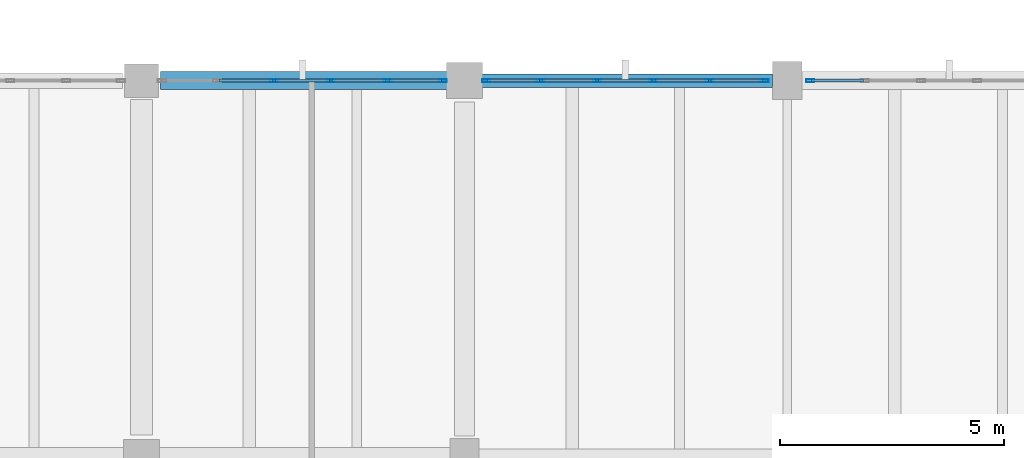
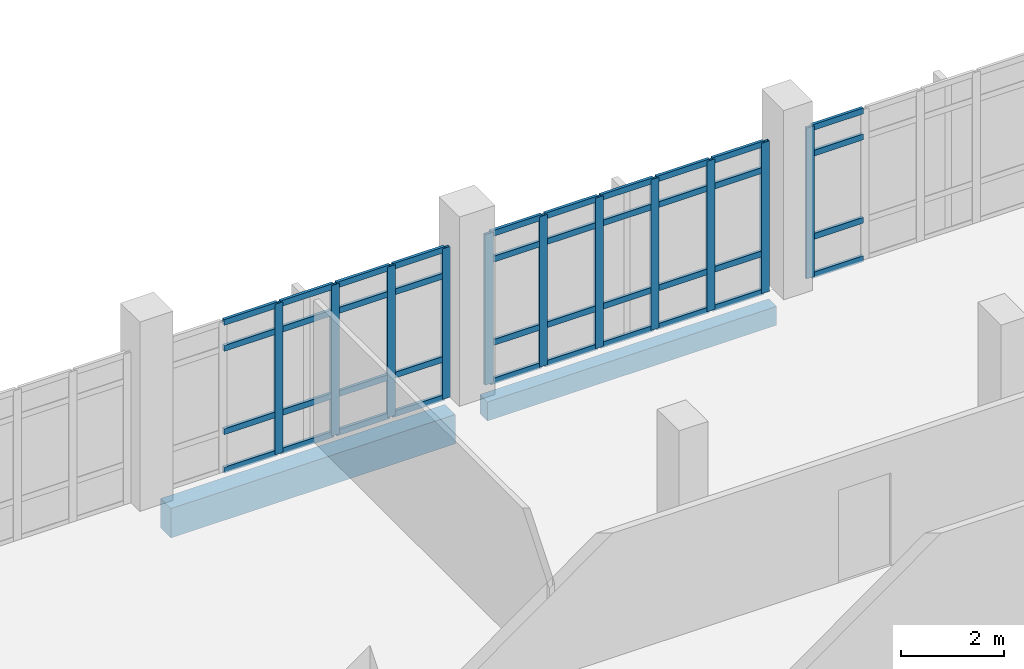
# One storey, part 74 of 134: 51 members, 2 beams, 3 elements without a shape of their own.
"""IFC4 building model written with IfcOpenShell, lengths in metres."""

from ifc_helpers import new_model, si_unit, direction, frame, origin, origin_2d, place, context, subcontext, project, spatial, rectangle, hollow_rectangle, extrude, material, material_profile, profile_set, type_object, element, aggregate, save


model = new_model("IFC4")

# Units and contexts
model_context = context("Model", 3, precision=1e-05, world=origin(), true_north=direction((0.0, 1.0)))
body_context = subcontext(model_context, "Body", "Model", "MODEL_VIEW")
ifc_project = project(units=[si_unit("LENGTHUNIT", "METRE"), si_unit("AREAUNIT", "SQUARE_METRE"), si_unit("VOLUMEUNIT", "CUBIC_METRE"), si_unit("PLANEANGLEUNIT", "RADIAN"), si_unit("MASSUNIT", "GRAM", prefix="KILO")], contexts=[model_context])

# Site, building, storey
site_placement = place(None, origin())
site = spatial("IfcSite", under=ifc_project, at=site_placement, CompositionType="ELEMENT")
building_placement = place(site_placement, origin())
building = spatial("IfcBuilding", under=site, at=building_placement, Name="Kalluvel Institute of Natural Sciences", CompositionType="ELEMENT")
storey_placement = place(building_placement, frame((0.0, 0.0, 5.39990234375)))
storey = spatial("IfcBuildingStorey", under=building, at=storey_placement, Name="L01", CompositionType="ELEMENT", Elevation=5.39990234375)

# Curtain wall, members
ifc_material_1 = material(Name="Aluminium AW-6063 T6", Category="aluminium")
curtain_wall_type = type_object("IfcCurtainWallType", Name="CW-WET-45", PredefinedType="USERDEFINED", material=ifc_material_1)
curtain_wall_1_placement = place(storey_placement, origin())
curtain_wall_1 = element("IfcCurtainWall", 1, at=curtain_wall_1_placement, inside=storey, type_object=curtain_wall_type, Name="L01 Gothic lancet curtain wall CWA-L01-X936-Y1280", ObjectType="UNITISED LANCET FACADE", PredefinedType="USERDEFINED")
ifc_material_profile_1 = material_profile(ifc_material_1, hollow_rectangle(XDim=0.06494140625, YDim=0.179931640625, WallThickness=0.00439453125, at=origin_2d()), Name="CWM 65x180")
ifc_profile_set_1 = profile_set([ifc_material_profile_1], Name="Aluminium AW-6063 T6")
member_type_1 = type_object("IfcMemberType", Name="CWM-65x180", PredefinedType="MULLION", material=ifc_profile_set_1)
member_1_placement = place(storey_placement, frame((96.155029296875, 128.0, 0.0), z_axis=(0.0, 0.0, 1.0), x_axis=(0.0, 1.0, 0.0)))
member_1 = element("IfcMember", 2, at=member_1_placement, type_object=member_type_1, Name="CW-01 mullion 3", PredefinedType="MULLION", context=body_context, shape_type="SweptSolid", body=[
    extrude(hollow_rectangle(XDim=0.06494140625, YDim=0.179931640625, WallThickness=0.00439453125, at=origin_2d()), origin(), (0.0, 0.0, 1.0), 3.580078125),
])
member_2_placement = place(storey_placement, frame((97.419921875, 128.0, 0.0), z_axis=(0.0, 0.0, 1.0), x_axis=(0.0, 1.0, 0.0)))
member_2 = element("IfcMember", 3, at=member_2_placement, type_object=member_type_1, Name="CW-01 mullion 4", PredefinedType="MULLION", context=body_context, shape_type="SweptSolid", body=[
    extrude(hollow_rectangle(XDim=0.06494140625, YDim=0.179931640625, WallThickness=0.00439453125, at=origin_2d()), origin(), (0.0, 0.0, 1.0), 3.580078125),
])
member_3_placement = place(storey_placement, frame((98.68505859375, 128.0, 0.0), z_axis=(0.0, 0.0, 1.0), x_axis=(0.0, 1.0, 0.0)))
member_3 = element("IfcMember", 4, at=member_3_placement, type_object=member_type_1, Name="CW-01 mullion 5", PredefinedType="MULLION", context=body_context, shape_type="SweptSolid", body=[
    extrude(hollow_rectangle(XDim=0.06494140625, YDim=0.179931640625, WallThickness=0.00439453125, at=origin_2d()), origin(), (0.0, 0.0, 1.0), 3.580078125),
])
member_4_placement = place(storey_placement, frame((99.91748046875, 128.0, 0.0), z_axis=(0.0, 0.0, 1.0), x_axis=(0.0, 1.0, 0.0)))
member_4 = element("IfcMember", 5, at=member_4_placement, type_object=member_type_1, Name="CW-01 mullion 6", PredefinedType="MULLION", context=body_context, shape_type="SweptSolid", body=[
    extrude(hollow_rectangle(XDim=0.06494140625, YDim=0.179931640625, WallThickness=0.00439453125, at=origin_2d()), origin(), (0.0, 0.0, 1.0), 3.580078125),
])

curtain_wall_2_placement = place(storey_placement, origin())
curtain_wall_2 = element("IfcCurtainWall", 6, at=curtain_wall_2_placement, inside=storey, type_object=curtain_wall_type, Name="L01 Gothic lancet curtain wall CWA-L01-X1008-Y1280", ObjectType="UNITISED LANCET FACADE", PredefinedType="USERDEFINED")
member_5_placement = place(storey_placement, frame((100.882568359375, 128.0, 0.0), z_axis=(0.0, 0.0, 1.0), x_axis=(0.0, 1.0, 0.0)))
member_5 = element("IfcMember", 7, at=member_5_placement, type_object=member_type_1, Name="CW-01 mullion 1", PredefinedType="MULLION", context=body_context, shape_type="SweptSolid", body=[
    extrude(hollow_rectangle(XDim=0.06494140625, YDim=0.179931640625, WallThickness=0.00439453125, at=origin_2d()), origin(), (0.0, 0.0, 1.0), 3.580078125),
])
member_6_placement = place(storey_placement, frame((102.10498046875, 128.0, 0.0), z_axis=(0.0, 0.0, 1.0), x_axis=(0.0, 1.0, 0.0)))
member_6 = element("IfcMember", 8, at=member_6_placement, type_object=member_type_1, Name="CW-01 mullion 2", PredefinedType="MULLION", context=body_context, shape_type="SweptSolid", body=[
    extrude(hollow_rectangle(XDim=0.06494140625, YDim=0.179931640625, WallThickness=0.00439453125, at=origin_2d()), origin(), (0.0, 0.0, 1.0), 3.580078125),
])
member_7_placement = place(storey_placement, frame((103.360107421875, 128.0, 0.0), z_axis=(0.0, 0.0, 1.0), x_axis=(0.0, 1.0, 0.0)))
member_7 = element("IfcMember", 9, at=member_7_placement, type_object=member_type_1, Name="CW-01 mullion 3", PredefinedType="MULLION", context=body_context, shape_type="SweptSolid", body=[
    extrude(hollow_rectangle(XDim=0.06494140625, YDim=0.179931640625, WallThickness=0.00439453125, at=origin_2d()), origin(), (0.0, 0.0, 1.0), 3.580078125),
])
member_8_placement = place(storey_placement, frame((104.614990234375, 128.0, 0.0), z_axis=(0.0, 0.0, 1.0), x_axis=(0.0, 1.0, 0.0)))
member_8 = element("IfcMember", 10, at=member_8_placement, type_object=member_type_1, Name="CW-01 mullion 4", PredefinedType="MULLION", context=body_context, shape_type="SweptSolid", body=[
    extrude(hollow_rectangle(XDim=0.06494140625, YDim=0.179931640625, WallThickness=0.00439453125, at=origin_2d()), origin(), (0.0, 0.0, 1.0), 3.580078125),
])
member_9_placement = place(storey_placement, frame((105.8701171875, 128.0, 0.0), z_axis=(0.0, 0.0, 1.0), x_axis=(0.0, 1.0, 0.0)))
member_9 = element("IfcMember", 11, at=member_9_placement, type_object=member_type_1, Name="CW-01 mullion 5", PredefinedType="MULLION", context=body_context, shape_type="SweptSolid", body=[
    extrude(hollow_rectangle(XDim=0.06494140625, YDim=0.179931640625, WallThickness=0.00439453125, at=origin_2d()), origin(), (0.0, 0.0, 1.0), 3.580078125),
])
member_10_placement = place(storey_placement, frame((107.092529296875, 128.0, 0.0), z_axis=(0.0, 0.0, 1.0), x_axis=(0.0, 1.0, 0.0)))
member_10 = element("IfcMember", 12, at=member_10_placement, type_object=member_type_1, Name="CW-01 mullion 6", PredefinedType="MULLION", context=body_context, shape_type="SweptSolid", body=[
    extrude(hollow_rectangle(XDim=0.06494140625, YDim=0.179931640625, WallThickness=0.00439453125, at=origin_2d()), origin(), (0.0, 0.0, 1.0), 3.580078125),
])

# Curtain wall, member
curtain_wall_3_placement = place(storey_placement, origin())
curtain_wall_3 = element("IfcCurtainWall", 13, at=curtain_wall_3_placement, inside=storey, type_object=curtain_wall_type, Name="L01 Gothic lancet curtain wall CWA-L01-X1081-Y1280", ObjectType="UNITISED LANCET FACADE", PredefinedType="USERDEFINED")
member_11_placement = place(storey_placement, frame((108.107421875, 128.0, 0.0), z_axis=(0.0, 0.0, 1.0), x_axis=(0.0, 1.0, 0.0)))
member_11 = element("IfcMember", 14, at=member_11_placement, type_object=member_type_1, Name="CW-01 mullion 1", PredefinedType="MULLION", context=body_context, shape_type="SweptSolid", body=[
    extrude(hollow_rectangle(XDim=0.06494140625, YDim=0.179931640625, WallThickness=0.00439453125, at=origin_2d()), origin(), (0.0, 0.0, 1.0), 3.580078125),
])

# Member
ifc_material_profile_2 = material_profile(ifc_material_1, hollow_rectangle(XDim=0.06494140625, YDim=0.139892578125, WallThickness=0.00439453125, at=origin_2d()), Name="CWT 65x140")
ifc_profile_set_2 = profile_set([ifc_material_profile_2], Name="Aluminium AW-6063 T6")
member_type_2 = type_object("IfcMemberType", Name="CWT-65x140", PredefinedType="USERDEFINED", material=ifc_profile_set_2)
member_12_placement = place(storey_placement, frame((94.922607421875, 128.0, 0.03271484375), z_axis=(1.0, 0.0, 0.0), x_axis=(0.0, 1.0, 0.0)))
member_12 = element("IfcMember", 15, at=member_12_placement, type_object=member_type_2, Name="CW-01 transom 2.1", ObjectType="TRANSOM", PredefinedType="USERDEFINED", context=body_context, shape_type="SweptSolid", body=[
    extrude(hollow_rectangle(XDim=0.06494140625, YDim=0.139892578125, WallThickness=0.00439453125, at=origin_2d()), origin(), (0.0, 0.0, 1.0), 1.199951171875),
])

member_13_placement = place(storey_placement, frame((94.922607421875, 128.0, 0.9501953125), z_axis=(1.0, 0.0, 0.0), x_axis=(0.0, 1.0, 0.0)))
member_13 = element("IfcMember", 16, at=member_13_placement, type_object=member_type_2, Name="CW-01 transom 2.2", ObjectType="TRANSOM", PredefinedType="USERDEFINED", context=body_context, shape_type="SweptSolid", body=[
    extrude(hollow_rectangle(XDim=0.06494140625, YDim=0.139892578125, WallThickness=0.00439453125, at=origin_2d()), origin(), (0.0, 0.0, 1.0), 1.199951171875),
])

member_14_placement = place(storey_placement, frame((94.922607421875, 128.0, 2.93017578125), z_axis=(1.0, 0.0, 0.0), x_axis=(0.0, 1.0, 0.0)))
member_14 = element("IfcMember", 17, at=member_14_placement, type_object=member_type_2, Name="CW-01 transom 2.3", ObjectType="TRANSOM", PredefinedType="USERDEFINED", context=body_context, shape_type="SweptSolid", body=[
    extrude(hollow_rectangle(XDim=0.06494140625, YDim=0.139892578125, WallThickness=0.00439453125, at=origin_2d()), origin(), (0.0, 0.0, 1.0), 1.199951171875),
])

member_15_placement = place(storey_placement, frame((94.922607421875, 128.0, 3.547607421875), z_axis=(1.0, 0.0, 0.0), x_axis=(0.0, 1.0, 0.0)))
member_15 = element("IfcMember", 18, at=member_15_placement, type_object=member_type_2, Name="CW-01 transom 2.4", ObjectType="TRANSOM", PredefinedType="USERDEFINED", context=body_context, shape_type="SweptSolid", body=[
    extrude(hollow_rectangle(XDim=0.06494140625, YDim=0.139892578125, WallThickness=0.00439453125, at=origin_2d()), origin(), (0.0, 0.0, 1.0), 1.199951171875),
])

member_16_placement = place(storey_placement, frame((96.1875, 128.0, 0.03271484375), z_axis=(1.0, 0.0, 0.0), x_axis=(0.0, 1.0, 0.0)))
member_16 = element("IfcMember", 19, at=member_16_placement, type_object=member_type_2, Name="CW-01 transom 3.1", ObjectType="TRANSOM", PredefinedType="USERDEFINED", context=body_context, shape_type="SweptSolid", body=[
    extrude(hollow_rectangle(XDim=0.06494140625, YDim=0.139892578125, WallThickness=0.00439453125, at=origin_2d()), origin(), (0.0, 0.0, 1.0), 1.199951171875),
])

member_17_placement = place(storey_placement, frame((96.1875, 128.0, 0.9501953125), z_axis=(1.0, 0.0, 0.0), x_axis=(0.0, 1.0, 0.0)))
member_17 = element("IfcMember", 20, at=member_17_placement, type_object=member_type_2, Name="CW-01 transom 3.2", ObjectType="TRANSOM", PredefinedType="USERDEFINED", context=body_context, shape_type="SweptSolid", body=[
    extrude(hollow_rectangle(XDim=0.06494140625, YDim=0.139892578125, WallThickness=0.00439453125, at=origin_2d()), origin(), (0.0, 0.0, 1.0), 1.199951171875),
])

member_18_placement = place(storey_placement, frame((96.1875, 128.0, 2.93017578125), z_axis=(1.0, 0.0, 0.0), x_axis=(0.0, 1.0, 0.0)))
member_18 = element("IfcMember", 21, at=member_18_placement, type_object=member_type_2, Name="CW-01 transom 3.3", ObjectType="TRANSOM", PredefinedType="USERDEFINED", context=body_context, shape_type="SweptSolid", body=[
    extrude(hollow_rectangle(XDim=0.06494140625, YDim=0.139892578125, WallThickness=0.00439453125, at=origin_2d()), origin(), (0.0, 0.0, 1.0), 1.199951171875),
])

member_19_placement = place(storey_placement, frame((96.1875, 128.0, 3.547607421875), z_axis=(1.0, 0.0, 0.0), x_axis=(0.0, 1.0, 0.0)))
member_19 = element("IfcMember", 22, at=member_19_placement, type_object=member_type_2, Name="CW-01 transom 3.4", ObjectType="TRANSOM", PredefinedType="USERDEFINED", context=body_context, shape_type="SweptSolid", body=[
    extrude(hollow_rectangle(XDim=0.06494140625, YDim=0.139892578125, WallThickness=0.00439453125, at=origin_2d()), origin(), (0.0, 0.0, 1.0), 1.199951171875),
])

member_20_placement = place(storey_placement, frame((97.452392578125, 128.0, 0.03271484375), z_axis=(1.0, 0.0, 0.0), x_axis=(0.0, 1.0, 0.0)))
member_20 = element("IfcMember", 23, at=member_20_placement, type_object=member_type_2, Name="CW-01 transom 4.1", ObjectType="TRANSOM", PredefinedType="USERDEFINED", context=body_context, shape_type="SweptSolid", body=[
    extrude(hollow_rectangle(XDim=0.06494140625, YDim=0.139892578125, WallThickness=0.00439453125, at=origin_2d()), origin(), (0.0, 0.0, 1.0), 1.2001953125),
])

member_21_placement = place(storey_placement, frame((97.452392578125, 128.0, 0.9501953125), z_axis=(1.0, 0.0, 0.0), x_axis=(0.0, 1.0, 0.0)))
member_21 = element("IfcMember", 24, at=member_21_placement, type_object=member_type_2, Name="CW-01 transom 4.2", ObjectType="TRANSOM", PredefinedType="USERDEFINED", context=body_context, shape_type="SweptSolid", body=[
    extrude(hollow_rectangle(XDim=0.06494140625, YDim=0.139892578125, WallThickness=0.00439453125, at=origin_2d()), origin(), (0.0, 0.0, 1.0), 1.2001953125),
])

member_22_placement = place(storey_placement, frame((97.452392578125, 128.0, 2.93017578125), z_axis=(1.0, 0.0, 0.0), x_axis=(0.0, 1.0, 0.0)))
member_22 = element("IfcMember", 25, at=member_22_placement, type_object=member_type_2, Name="CW-01 transom 4.3", ObjectType="TRANSOM", PredefinedType="USERDEFINED", context=body_context, shape_type="SweptSolid", body=[
    extrude(hollow_rectangle(XDim=0.06494140625, YDim=0.139892578125, WallThickness=0.00439453125, at=origin_2d()), origin(), (0.0, 0.0, 1.0), 1.2001953125),
])

member_23_placement = place(storey_placement, frame((97.452392578125, 128.0, 3.547607421875), z_axis=(1.0, 0.0, 0.0), x_axis=(0.0, 1.0, 0.0)))
member_23 = element("IfcMember", 26, at=member_23_placement, type_object=member_type_2, Name="CW-01 transom 4.4", ObjectType="TRANSOM", PredefinedType="USERDEFINED", context=body_context, shape_type="SweptSolid", body=[
    extrude(hollow_rectangle(XDim=0.06494140625, YDim=0.139892578125, WallThickness=0.00439453125, at=origin_2d()), origin(), (0.0, 0.0, 1.0), 1.2001953125),
])

member_24_placement = place(storey_placement, frame((98.717529296875, 128.0, 0.03271484375), z_axis=(1.0, 0.0, 0.0), x_axis=(0.0, 1.0, 0.0)))
member_24 = element("IfcMember", 27, at=member_24_placement, type_object=member_type_2, Name="CW-01 transom 5.1", ObjectType="TRANSOM", PredefinedType="USERDEFINED", context=body_context, shape_type="SweptSolid", body=[
    extrude(hollow_rectangle(XDim=0.06494140625, YDim=0.139892578125, WallThickness=0.00439453125, at=origin_2d()), origin(), (0.0, 0.0, 1.0), 1.16748046875),
])

member_25_placement = place(storey_placement, frame((98.717529296875, 128.0, 0.9501953125), z_axis=(1.0, 0.0, 0.0), x_axis=(0.0, 1.0, 0.0)))
member_25 = element("IfcMember", 28, at=member_25_placement, type_object=member_type_2, Name="CW-01 transom 5.2", ObjectType="TRANSOM", PredefinedType="USERDEFINED", context=body_context, shape_type="SweptSolid", body=[
    extrude(hollow_rectangle(XDim=0.06494140625, YDim=0.139892578125, WallThickness=0.00439453125, at=origin_2d()), origin(), (0.0, 0.0, 1.0), 1.16748046875),
])

member_26_placement = place(storey_placement, frame((98.717529296875, 128.0, 2.93017578125), z_axis=(1.0, 0.0, 0.0), x_axis=(0.0, 1.0, 0.0)))
member_26 = element("IfcMember", 29, at=member_26_placement, type_object=member_type_2, Name="CW-01 transom 5.3", ObjectType="TRANSOM", PredefinedType="USERDEFINED", context=body_context, shape_type="SweptSolid", body=[
    extrude(hollow_rectangle(XDim=0.06494140625, YDim=0.139892578125, WallThickness=0.00439453125, at=origin_2d()), origin(), (0.0, 0.0, 1.0), 1.16748046875),
])

member_27_placement = place(storey_placement, frame((98.717529296875, 128.0, 3.547607421875), z_axis=(1.0, 0.0, 0.0), x_axis=(0.0, 1.0, 0.0)))
member_27 = element("IfcMember", 30, at=member_27_placement, type_object=member_type_2, Name="CW-01 transom 5.4", ObjectType="TRANSOM", PredefinedType="USERDEFINED", context=body_context, shape_type="SweptSolid", body=[
    extrude(hollow_rectangle(XDim=0.06494140625, YDim=0.139892578125, WallThickness=0.00439453125, at=origin_2d()), origin(), (0.0, 0.0, 1.0), 1.16748046875),
])

aggregate(curtain_wall_1, [member_1, member_2, member_3, member_4, member_12, member_13, member_14, member_15, member_16, member_17, member_18, member_19, member_20, member_21, member_22, member_23, member_24, member_25, member_26, member_27])

member_28_placement = place(storey_placement, frame((100.9150390625, 128.0, 0.03271484375), z_axis=(1.0, 0.0, 0.0), x_axis=(0.0, 1.0, 0.0)))
member_28 = element("IfcMember", 31, at=member_28_placement, type_object=member_type_2, Name="CW-01 transom 1.1", ObjectType="TRANSOM", PredefinedType="USERDEFINED", context=body_context, shape_type="SweptSolid", body=[
    extrude(hollow_rectangle(XDim=0.06494140625, YDim=0.139892578125, WallThickness=0.00439453125, at=origin_2d()), origin(), (0.0, 0.0, 1.0), 1.157470703125),
])

member_29_placement = place(storey_placement, frame((100.9150390625, 128.0, 0.9501953125), z_axis=(1.0, 0.0, 0.0), x_axis=(0.0, 1.0, 0.0)))
member_29 = element("IfcMember", 32, at=member_29_placement, type_object=member_type_2, Name="CW-01 transom 1.2", ObjectType="TRANSOM", PredefinedType="USERDEFINED", context=body_context, shape_type="SweptSolid", body=[
    extrude(hollow_rectangle(XDim=0.06494140625, YDim=0.139892578125, WallThickness=0.00439453125, at=origin_2d()), origin(), (0.0, 0.0, 1.0), 1.157470703125),
])

member_30_placement = place(storey_placement, frame((100.9150390625, 128.0, 2.93017578125), z_axis=(1.0, 0.0, 0.0), x_axis=(0.0, 1.0, 0.0)))
member_30 = element("IfcMember", 33, at=member_30_placement, type_object=member_type_2, Name="CW-01 transom 1.3", ObjectType="TRANSOM", PredefinedType="USERDEFINED", context=body_context, shape_type="SweptSolid", body=[
    extrude(hollow_rectangle(XDim=0.06494140625, YDim=0.139892578125, WallThickness=0.00439453125, at=origin_2d()), origin(), (0.0, 0.0, 1.0), 1.157470703125),
])

member_31_placement = place(storey_placement, frame((100.9150390625, 128.0, 3.547607421875), z_axis=(1.0, 0.0, 0.0), x_axis=(0.0, 1.0, 0.0)))
member_31 = element("IfcMember", 34, at=member_31_placement, type_object=member_type_2, Name="CW-01 transom 1.4", ObjectType="TRANSOM", PredefinedType="USERDEFINED", context=body_context, shape_type="SweptSolid", body=[
    extrude(hollow_rectangle(XDim=0.06494140625, YDim=0.139892578125, WallThickness=0.00439453125, at=origin_2d()), origin(), (0.0, 0.0, 1.0), 1.157470703125),
])

member_32_placement = place(storey_placement, frame((102.137451171875, 128.0, 0.03271484375), z_axis=(1.0, 0.0, 0.0), x_axis=(0.0, 1.0, 0.0)))
member_32 = element("IfcMember", 35, at=member_32_placement, type_object=member_type_2, Name="CW-01 transom 2.1", ObjectType="TRANSOM", PredefinedType="USERDEFINED", context=body_context, shape_type="SweptSolid", body=[
    extrude(hollow_rectangle(XDim=0.06494140625, YDim=0.139892578125, WallThickness=0.00439453125, at=origin_2d()), origin(), (0.0, 0.0, 1.0), 1.18994140625),
])

member_33_placement = place(storey_placement, frame((102.137451171875, 128.0, 0.9501953125), z_axis=(1.0, 0.0, 0.0), x_axis=(0.0, 1.0, 0.0)))
member_33 = element("IfcMember", 36, at=member_33_placement, type_object=member_type_2, Name="CW-01 transom 2.2", ObjectType="TRANSOM", PredefinedType="USERDEFINED", context=body_context, shape_type="SweptSolid", body=[
    extrude(hollow_rectangle(XDim=0.06494140625, YDim=0.139892578125, WallThickness=0.00439453125, at=origin_2d()), origin(), (0.0, 0.0, 1.0), 1.18994140625),
])

member_34_placement = place(storey_placement, frame((102.137451171875, 128.0, 2.93017578125), z_axis=(1.0, 0.0, 0.0), x_axis=(0.0, 1.0, 0.0)))
member_34 = element("IfcMember", 37, at=member_34_placement, type_object=member_type_2, Name="CW-01 transom 2.3", ObjectType="TRANSOM", PredefinedType="USERDEFINED", context=body_context, shape_type="SweptSolid", body=[
    extrude(hollow_rectangle(XDim=0.06494140625, YDim=0.139892578125, WallThickness=0.00439453125, at=origin_2d()), origin(), (0.0, 0.0, 1.0), 1.18994140625),
])

member_35_placement = place(storey_placement, frame((102.137451171875, 128.0, 3.547607421875), z_axis=(1.0, 0.0, 0.0), x_axis=(0.0, 1.0, 0.0)))
member_35 = element("IfcMember", 38, at=member_35_placement, type_object=member_type_2, Name="CW-01 transom 2.4", ObjectType="TRANSOM", PredefinedType="USERDEFINED", context=body_context, shape_type="SweptSolid", body=[
    extrude(hollow_rectangle(XDim=0.06494140625, YDim=0.139892578125, WallThickness=0.00439453125, at=origin_2d()), origin(), (0.0, 0.0, 1.0), 1.18994140625),
])

member_36_placement = place(storey_placement, frame((103.392578125, 128.0, 0.03271484375), z_axis=(1.0, 0.0, 0.0), x_axis=(0.0, 1.0, 0.0)))
member_36 = element("IfcMember", 39, at=member_36_placement, type_object=member_type_2, Name="CW-01 transom 3.1", ObjectType="TRANSOM", PredefinedType="USERDEFINED", context=body_context, shape_type="SweptSolid", body=[
    extrude(hollow_rectangle(XDim=0.06494140625, YDim=0.139892578125, WallThickness=0.00439453125, at=origin_2d()), origin(), (0.0, 0.0, 1.0), 1.18994140625),
])

member_37_placement = place(storey_placement, frame((103.392578125, 128.0, 0.9501953125), z_axis=(1.0, 0.0, 0.0), x_axis=(0.0, 1.0, 0.0)))
member_37 = element("IfcMember", 40, at=member_37_placement, type_object=member_type_2, Name="CW-01 transom 3.2", ObjectType="TRANSOM", PredefinedType="USERDEFINED", context=body_context, shape_type="SweptSolid", body=[
    extrude(hollow_rectangle(XDim=0.06494140625, YDim=0.139892578125, WallThickness=0.00439453125, at=origin_2d()), origin(), (0.0, 0.0, 1.0), 1.18994140625),
])

member_38_placement = place(storey_placement, frame((103.392578125, 128.0, 2.93017578125), z_axis=(1.0, 0.0, 0.0), x_axis=(0.0, 1.0, 0.0)))
member_38 = element("IfcMember", 41, at=member_38_placement, type_object=member_type_2, Name="CW-01 transom 3.3", ObjectType="TRANSOM", PredefinedType="USERDEFINED", context=body_context, shape_type="SweptSolid", body=[
    extrude(hollow_rectangle(XDim=0.06494140625, YDim=0.139892578125, WallThickness=0.00439453125, at=origin_2d()), origin(), (0.0, 0.0, 1.0), 1.18994140625),
])

member_39_placement = place(storey_placement, frame((103.392578125, 128.0, 3.547607421875), z_axis=(1.0, 0.0, 0.0), x_axis=(0.0, 1.0, 0.0)))
member_39 = element("IfcMember", 42, at=member_39_placement, type_object=member_type_2, Name="CW-01 transom 3.4", ObjectType="TRANSOM", PredefinedType="USERDEFINED", context=body_context, shape_type="SweptSolid", body=[
    extrude(hollow_rectangle(XDim=0.06494140625, YDim=0.139892578125, WallThickness=0.00439453125, at=origin_2d()), origin(), (0.0, 0.0, 1.0), 1.18994140625),
])

member_40_placement = place(storey_placement, frame((104.6474609375, 128.0, 0.03271484375), z_axis=(1.0, 0.0, 0.0), x_axis=(0.0, 1.0, 0.0)))
member_40 = element("IfcMember", 43, at=member_40_placement, type_object=member_type_2, Name="CW-01 transom 4.1", ObjectType="TRANSOM", PredefinedType="USERDEFINED", context=body_context, shape_type="SweptSolid", body=[
    extrude(hollow_rectangle(XDim=0.06494140625, YDim=0.139892578125, WallThickness=0.00439453125, at=origin_2d()), origin(), (0.0, 0.0, 1.0), 1.18994140625),
])

member_41_placement = place(storey_placement, frame((104.6474609375, 128.0, 0.9501953125), z_axis=(1.0, 0.0, 0.0), x_axis=(0.0, 1.0, 0.0)))
member_41 = element("IfcMember", 44, at=member_41_placement, type_object=member_type_2, Name="CW-01 transom 4.2", ObjectType="TRANSOM", PredefinedType="USERDEFINED", context=body_context, shape_type="SweptSolid", body=[
    extrude(hollow_rectangle(XDim=0.06494140625, YDim=0.139892578125, WallThickness=0.00439453125, at=origin_2d()), origin(), (0.0, 0.0, 1.0), 1.18994140625),
])

member_42_placement = place(storey_placement, frame((104.6474609375, 128.0, 2.93017578125), z_axis=(1.0, 0.0, 0.0), x_axis=(0.0, 1.0, 0.0)))
member_42 = element("IfcMember", 45, at=member_42_placement, type_object=member_type_2, Name="CW-01 transom 4.3", ObjectType="TRANSOM", PredefinedType="USERDEFINED", context=body_context, shape_type="SweptSolid", body=[
    extrude(hollow_rectangle(XDim=0.06494140625, YDim=0.139892578125, WallThickness=0.00439453125, at=origin_2d()), origin(), (0.0, 0.0, 1.0), 1.18994140625),
])

member_43_placement = place(storey_placement, frame((104.6474609375, 128.0, 3.547607421875), z_axis=(1.0, 0.0, 0.0), x_axis=(0.0, 1.0, 0.0)))
member_43 = element("IfcMember", 46, at=member_43_placement, type_object=member_type_2, Name="CW-01 transom 4.4", ObjectType="TRANSOM", PredefinedType="USERDEFINED", context=body_context, shape_type="SweptSolid", body=[
    extrude(hollow_rectangle(XDim=0.06494140625, YDim=0.139892578125, WallThickness=0.00439453125, at=origin_2d()), origin(), (0.0, 0.0, 1.0), 1.18994140625),
])

member_44_placement = place(storey_placement, frame((105.902587890625, 128.0, 0.03271484375), z_axis=(1.0, 0.0, 0.0), x_axis=(0.0, 1.0, 0.0)))
member_44 = element("IfcMember", 47, at=member_44_placement, type_object=member_type_2, Name="CW-01 transom 5.1", ObjectType="TRANSOM", PredefinedType="USERDEFINED", context=body_context, shape_type="SweptSolid", body=[
    extrude(hollow_rectangle(XDim=0.06494140625, YDim=0.139892578125, WallThickness=0.00439453125, at=origin_2d()), origin(), (0.0, 0.0, 1.0), 1.157470703125),
])

member_45_placement = place(storey_placement, frame((105.902587890625, 128.0, 0.9501953125), z_axis=(1.0, 0.0, 0.0), x_axis=(0.0, 1.0, 0.0)))
member_45 = element("IfcMember", 48, at=member_45_placement, type_object=member_type_2, Name="CW-01 transom 5.2", ObjectType="TRANSOM", PredefinedType="USERDEFINED", context=body_context, shape_type="SweptSolid", body=[
    extrude(hollow_rectangle(XDim=0.06494140625, YDim=0.139892578125, WallThickness=0.00439453125, at=origin_2d()), origin(), (0.0, 0.0, 1.0), 1.157470703125),
])

member_46_placement = place(storey_placement, frame((105.902587890625, 128.0, 2.93017578125), z_axis=(1.0, 0.0, 0.0), x_axis=(0.0, 1.0, 0.0)))
member_46 = element("IfcMember", 49, at=member_46_placement, type_object=member_type_2, Name="CW-01 transom 5.3", ObjectType="TRANSOM", PredefinedType="USERDEFINED", context=body_context, shape_type="SweptSolid", body=[
    extrude(hollow_rectangle(XDim=0.06494140625, YDim=0.139892578125, WallThickness=0.00439453125, at=origin_2d()), origin(), (0.0, 0.0, 1.0), 1.157470703125),
])

member_47_placement = place(storey_placement, frame((105.902587890625, 128.0, 3.547607421875), z_axis=(1.0, 0.0, 0.0), x_axis=(0.0, 1.0, 0.0)))
member_47 = element("IfcMember", 50, at=member_47_placement, type_object=member_type_2, Name="CW-01 transom 5.4", ObjectType="TRANSOM", PredefinedType="USERDEFINED", context=body_context, shape_type="SweptSolid", body=[
    extrude(hollow_rectangle(XDim=0.06494140625, YDim=0.139892578125, WallThickness=0.00439453125, at=origin_2d()), origin(), (0.0, 0.0, 1.0), 1.157470703125),
])

aggregate(curtain_wall_2, [member_5, member_6, member_7, member_8, member_9, member_10, member_28, member_29, member_30, member_31, member_32, member_33, member_34, member_35, member_36, member_37, member_38, member_39, member_40, member_41, member_42, member_43, member_44, member_45, member_46, member_47])

member_48_placement = place(storey_placement, frame((108.139892578125, 128.0, 0.03271484375), z_axis=(1.0, 0.0, 0.0), x_axis=(0.0, 1.0, 0.0)))
member_48 = element("IfcMember", 51, at=member_48_placement, type_object=member_type_2, Name="CW-01 transom 1.1", ObjectType="TRANSOM", PredefinedType="USERDEFINED", context=body_context, shape_type="SweptSolid", body=[
    extrude(hollow_rectangle(XDim=0.06494140625, YDim=0.139892578125, WallThickness=0.00439453125, at=origin_2d()), origin(), (0.0, 0.0, 1.0), 1.15771484375),
])

member_49_placement = place(storey_placement, frame((108.139892578125, 128.0, 0.9501953125), z_axis=(1.0, 0.0, 0.0), x_axis=(0.0, 1.0, 0.0)))
member_49 = element("IfcMember", 52, at=member_49_placement, type_object=member_type_2, Name="CW-01 transom 1.2", ObjectType="TRANSOM", PredefinedType="USERDEFINED", context=body_context, shape_type="SweptSolid", body=[
    extrude(hollow_rectangle(XDim=0.06494140625, YDim=0.139892578125, WallThickness=0.00439453125, at=origin_2d()), origin(), (0.0, 0.0, 1.0), 1.15771484375),
])

member_50_placement = place(storey_placement, frame((108.139892578125, 128.0, 2.93017578125), z_axis=(1.0, 0.0, 0.0), x_axis=(0.0, 1.0, 0.0)))
member_50 = element("IfcMember", 53, at=member_50_placement, type_object=member_type_2, Name="CW-01 transom 1.3", ObjectType="TRANSOM", PredefinedType="USERDEFINED", context=body_context, shape_type="SweptSolid", body=[
    extrude(hollow_rectangle(XDim=0.06494140625, YDim=0.139892578125, WallThickness=0.00439453125, at=origin_2d()), origin(), (0.0, 0.0, 1.0), 1.15771484375),
])

member_51_placement = place(storey_placement, frame((108.139892578125, 128.0, 3.547607421875), z_axis=(1.0, 0.0, 0.0), x_axis=(0.0, 1.0, 0.0)))
member_51 = element("IfcMember", 54, at=member_51_placement, type_object=member_type_2, Name="CW-01 transom 1.4", ObjectType="TRANSOM", PredefinedType="USERDEFINED", context=body_context, shape_type="SweptSolid", body=[
    extrude(hollow_rectangle(XDim=0.06494140625, YDim=0.139892578125, WallThickness=0.00439453125, at=origin_2d()), origin(), (0.0, 0.0, 1.0), 1.15771484375),
])

aggregate(curtain_wall_3, [member_11, member_48, member_49, member_50, member_51])

# Beams
ifc_material_2 = material(Name="Concrete M40", Category="concrete")
ifc_material_profile_3 = material_profile(ifc_material_2, rectangle(XDim=0.300048828125, YDim=0.449951171875, at=origin_2d()), Name="RCB 300x450")
ifc_profile_set_3 = profile_set([ifc_material_profile_3], Name="Concrete M40")
beam_type_1 = type_object("IfcBeamType", Name="SP-RC300x450", PredefinedType="SPANDREL", material=ifc_profile_set_3)
beam_1_placement = place(storey_placement, frame((100.77490234375, 128.0, -0.544921875), z_axis=(1.0, 0.0, 0.0), x_axis=(0.0, 1.0, 0.0)))
element("IfcBeam", 55, at=beam_1_placement, inside=storey, type_object=beam_type_1, Name="L01 girder GIR-L01-EW-X1004-Y1280", PredefinedType="SPANDREL", context=body_context, shape_type="SweptSolid", body=[
    extrude(rectangle(XDim=0.300048828125, YDim=0.449951171875, at=origin_2d()), origin(), (0.0, 0.0, 1.0), 6.5),
])
ifc_material_profile_4 = material_profile(ifc_material_2, rectangle(XDim=0.39990234375, YDim=0.699951171875, at=origin_2d()), Name="RCB 400x700")
ifc_profile_set_4 = profile_set([ifc_material_profile_4], Name="Concrete M40")
beam_type_2 = type_object("IfcBeamType", Name="SP-RC400x700", PredefinedType="SPANDREL", material=ifc_profile_set_4)
beam_2_placement = place(storey_placement, frame((93.625, 128.0, -0.669921875), z_axis=(1.0, 0.0, 0.0), x_axis=(0.0, 1.0, 0.0)))
element("IfcBeam", 56, at=beam_2_placement, inside=storey, type_object=beam_type_2, Name="L01 girder GIR-L01-EW-X932-Y1280", PredefinedType="SPANDREL", context=body_context, shape_type="SweptSolid", body=[
    extrude(rectangle(XDim=0.39990234375, YDim=0.699951171875, at=origin_2d()), origin(), (0.0, 0.0, 1.0), 6.39990234375),
])

save(model, "model.ifc")
